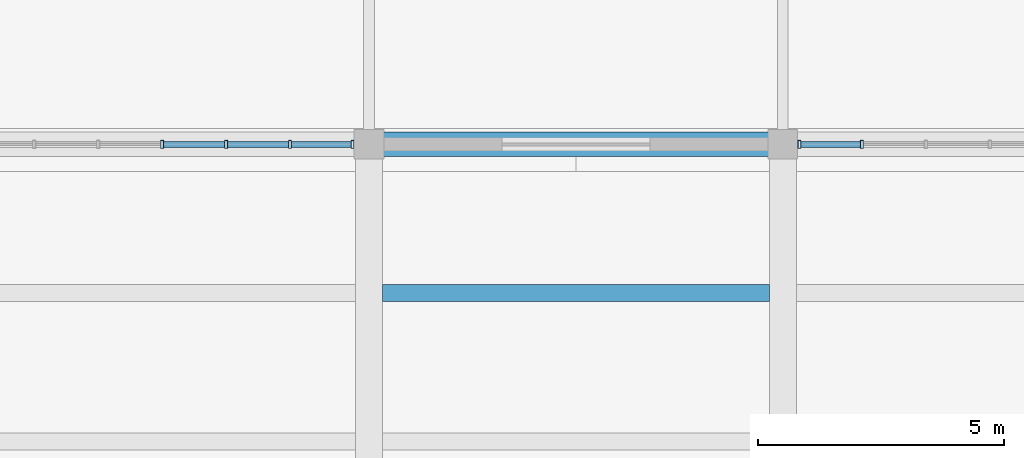
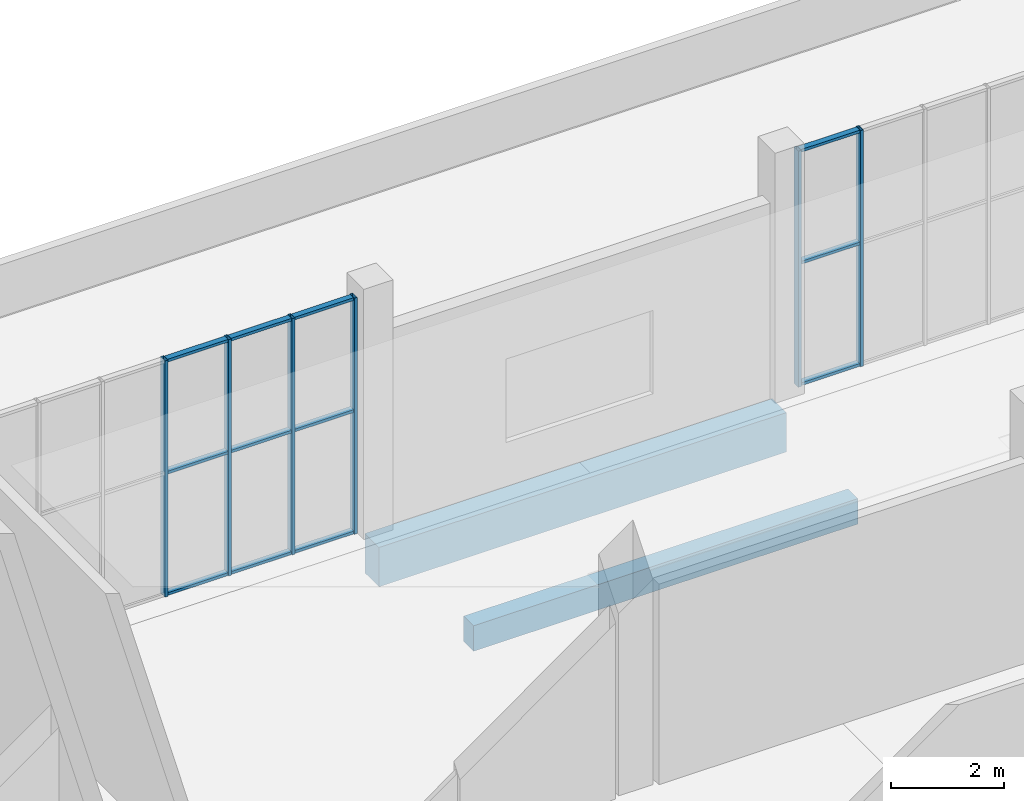
# One storey, part 87 of 132: 18 members, 2 beams, 2 elements without a shape of their own.
"""IFC4 building model written with IfcOpenShell, lengths in metres."""

from ifc_helpers import new_model, si_unit, direction, frame, origin, origin_2d, place, context, subcontext, project, spatial, rectangle, hollow_rectangle, extrude, material, material_profile, profile_set, type_object, element, aggregate, save


model = new_model("IFC4")

# Units and contexts
model_context = context("Model", 3, precision=1e-05, world=origin(), true_north=direction((0.0, 1.0)))
body_context = subcontext(model_context, "Body", "Model", "MODEL_VIEW")
ifc_project = project(units=[si_unit("LENGTHUNIT", "METRE"), si_unit("AREAUNIT", "SQUARE_METRE"), si_unit("VOLUMEUNIT", "CUBIC_METRE"), si_unit("PLANEANGLEUNIT", "RADIAN"), si_unit("MASSUNIT", "GRAM", prefix="KILO")], contexts=[model_context])

# Site, building, storey
site_placement = place(None, origin())
site = spatial("IfcSite", under=ifc_project, at=site_placement, CompositionType="ELEMENT")
building_placement = place(site_placement, origin())
building = spatial("IfcBuilding", under=site, at=building_placement, Name="Khurvash Pelagic Aquarium", CompositionType="ELEMENT")
storey_placement = place(building_placement, frame((0.0, 0.0, 5.39990234375)))
storey = spatial("IfcBuildingStorey", under=building, at=storey_placement, Name="L01", CompositionType="ELEMENT", Elevation=5.39990234375)

# Curtain wall, members
ifc_material_1 = material(Name="Anodised aluminium and low-E laminated glass", Category="aluminium")
curtain_wall_type = type_object("IfcCurtainWallType", Name="CW-05", PredefinedType="USERDEFINED", material=ifc_material_1)
curtain_wall_1_placement = place(storey_placement, origin())
curtain_wall_1 = element("IfcCurtainWall", 1, at=curtain_wall_1_placement, inside=storey, type_object=curtain_wall_type, Name="L01 Facade Unitised Curtain Wall CW-05 0116", ObjectType="UNITISED CURTAIN WALL", PredefinedType="USERDEFINED")
ifc_material_2 = material(Name="Extruded aluminium AW-6063-T6", Category="aluminium")
ifc_material_profile_1 = material_profile(ifc_material_2, hollow_rectangle(XDim=0.06005859375, YDim=0.159912109375, WallThickness=0.00390625, at=origin_2d()), Name="CWM60X160X4")
ifc_profile_set_1 = profile_set([ifc_material_profile_1], Name="Extruded aluminium AW-6063-T6")
member_type_1 = type_object("IfcMemberType", Name="CM-02", PredefinedType="MULLION", material=ifc_profile_set_1)
member_1_placement = place(storey_placement, frame((94.00341796875, 102.14990234375, 0.0), z_axis=(0.0, 0.0, 1.0), x_axis=(-1.0, 0.0, 0.0)))
member_1 = element("IfcMember", 2, at=member_1_placement, type_object=member_type_1, Name="CW-05 mullion 6", PredefinedType="MULLION", context=body_context, shape_type="SweptSolid", body=[
    extrude(hollow_rectangle(XDim=0.06005859375, YDim=0.159912109375, WallThickness=0.00390625, at=origin_2d()), origin(), (0.0, 0.0, 1.0), 5.10009765625),
])
member_2_placement = place(storey_placement, frame((92.735107421875, 102.14990234375, 0.0), z_axis=(0.0, 0.0, 1.0), x_axis=(-1.0, 0.0, 0.0)))
member_2 = element("IfcMember", 3, at=member_2_placement, type_object=member_type_1, Name="CW-05 mullion 7", PredefinedType="MULLION", context=body_context, shape_type="SweptSolid", body=[
    extrude(hollow_rectangle(XDim=0.06005859375, YDim=0.159912109375, WallThickness=0.00390625, at=origin_2d()), origin(), (0.0, 0.0, 1.0), 5.10009765625),
])

curtain_wall_2_placement = place(storey_placement, origin())
curtain_wall_2 = element("IfcCurtainWall", 4, at=curtain_wall_2_placement, inside=storey, type_object=curtain_wall_type, Name="L01 Facade Unitised Curtain Wall CW-05 0117", ObjectType="UNITISED CURTAIN WALL", PredefinedType="USERDEFINED")
member_3_placement = place(storey_placement, frame((83.6650390625, 102.14990234375, 0.0), z_axis=(0.0, 0.0, 1.0), x_axis=(-1.0, 0.0, 0.0)))
member_3 = element("IfcMember", 5, at=member_3_placement, type_object=member_type_1, Name="CW-05 mullion 1", PredefinedType="MULLION", context=body_context, shape_type="SweptSolid", body=[
    extrude(hollow_rectangle(XDim=0.06005859375, YDim=0.159912109375, WallThickness=0.00390625, at=origin_2d()), origin(), (0.0, 0.0, 1.0), 5.10009765625),
])
member_4_placement = place(storey_placement, frame((82.396728515625, 102.14990234375, 0.0), z_axis=(0.0, 0.0, 1.0), x_axis=(-1.0, 0.0, 0.0)))
member_4 = element("IfcMember", 6, at=member_4_placement, type_object=member_type_1, Name="CW-05 mullion 2", PredefinedType="MULLION", context=body_context, shape_type="SweptSolid", body=[
    extrude(hollow_rectangle(XDim=0.06005859375, YDim=0.159912109375, WallThickness=0.00390625, at=origin_2d()), origin(), (0.0, 0.0, 1.0), 5.10009765625),
])
member_5_placement = place(storey_placement, frame((81.098388671875, 102.14990234375, 0.0), z_axis=(0.0, 0.0, 1.0), x_axis=(-1.0, 0.0, 0.0)))
member_5 = element("IfcMember", 7, at=member_5_placement, type_object=member_type_1, Name="CW-05 mullion 3", PredefinedType="MULLION", context=body_context, shape_type="SweptSolid", body=[
    extrude(hollow_rectangle(XDim=0.06005859375, YDim=0.159912109375, WallThickness=0.00390625, at=origin_2d()), origin(), (0.0, 0.0, 1.0), 5.10009765625),
])
member_6_placement = place(storey_placement, frame((79.800048828125, 102.14990234375, 0.0), z_axis=(0.0, 0.0, 1.0), x_axis=(-1.0, 0.0, 0.0)))
member_6 = element("IfcMember", 8, at=member_6_placement, type_object=member_type_1, Name="CW-05 mullion 4", PredefinedType="MULLION", context=body_context, shape_type="SweptSolid", body=[
    extrude(hollow_rectangle(XDim=0.06005859375, YDim=0.159912109375, WallThickness=0.00390625, at=origin_2d()), origin(), (0.0, 0.0, 1.0), 5.10009765625),
])

# Member
ifc_material_profile_2 = material_profile(ifc_material_2, hollow_rectangle(XDim=0.1201171875, YDim=0.06005859375, WallThickness=0.00390625, at=origin_2d()), Name="CWT120X60X4")
ifc_profile_set_2 = profile_set([ifc_material_profile_2], Name="Extruded aluminium AW-6063-T6")
member_type_2 = type_object("IfcMemberType", Name="CT-02", PredefinedType="USERDEFINED", material=ifc_profile_set_2)
member_7_placement = place(storey_placement, frame((93.973388671875, 102.14990234375, 0.030029296875), z_axis=(-1.0, 0.0, 0.0), x_axis=(0.0, -1.0, 0.0)))
member_7 = element("IfcMember", 9, at=member_7_placement, type_object=member_type_2, Name="CW-05 transom 6.1", ObjectType="TRANSOM", PredefinedType="USERDEFINED", context=body_context, shape_type="SweptSolid", body=[
    extrude(hollow_rectangle(XDim=0.1201171875, YDim=0.06005859375, WallThickness=0.00390625, at=origin_2d()), origin(), (0.0, 0.0, 1.0), 1.20849609375),
])

member_8_placement = place(storey_placement, frame((93.973388671875, 102.14990234375, 2.652099609375), z_axis=(-1.0, 0.0, 0.0), x_axis=(0.0, -1.0, 0.0)))
member_8 = element("IfcMember", 10, at=member_8_placement, type_object=member_type_2, Name="CW-05 transom 6.2", ObjectType="TRANSOM", PredefinedType="USERDEFINED", context=body_context, shape_type="SweptSolid", body=[
    extrude(hollow_rectangle(XDim=0.1201171875, YDim=0.06005859375, WallThickness=0.00390625, at=origin_2d()), origin(), (0.0, 0.0, 1.0), 1.20849609375),
])

member_9_placement = place(storey_placement, frame((93.973388671875, 102.14990234375, 5.070068359375), z_axis=(-1.0, 0.0, 0.0), x_axis=(0.0, -1.0, 0.0)))
member_9 = element("IfcMember", 11, at=member_9_placement, type_object=member_type_2, Name="CW-05 transom 6.3", ObjectType="TRANSOM", PredefinedType="USERDEFINED", context=body_context, shape_type="SweptSolid", body=[
    extrude(hollow_rectangle(XDim=0.1201171875, YDim=0.06005859375, WallThickness=0.00390625, at=origin_2d()), origin(), (0.0, 0.0, 1.0), 1.20849609375),
])

aggregate(curtain_wall_1, [member_1, member_2, member_7, member_8, member_9])

member_10_placement = place(storey_placement, frame((83.635009765625, 102.14990234375, 0.030029296875), z_axis=(-1.0, 0.0, 0.0), x_axis=(0.0, -1.0, 0.0)))
member_10 = element("IfcMember", 12, at=member_10_placement, type_object=member_type_2, Name="CW-05 transom 1.1", ObjectType="TRANSOM", PredefinedType="USERDEFINED", context=body_context, shape_type="SweptSolid", body=[
    extrude(hollow_rectangle(XDim=0.1201171875, YDim=0.06005859375, WallThickness=0.00390625, at=origin_2d()), origin(), (0.0, 0.0, 1.0), 1.208251953125),
])

member_11_placement = place(storey_placement, frame((83.635009765625, 102.14990234375, 2.652099609375), z_axis=(-1.0, 0.0, 0.0), x_axis=(0.0, -1.0, 0.0)))
member_11 = element("IfcMember", 13, at=member_11_placement, type_object=member_type_2, Name="CW-05 transom 1.2", ObjectType="TRANSOM", PredefinedType="USERDEFINED", context=body_context, shape_type="SweptSolid", body=[
    extrude(hollow_rectangle(XDim=0.1201171875, YDim=0.06005859375, WallThickness=0.00390625, at=origin_2d()), origin(), (0.0, 0.0, 1.0), 1.208251953125),
])

member_12_placement = place(storey_placement, frame((83.635009765625, 102.14990234375, 5.070068359375), z_axis=(-1.0, 0.0, 0.0), x_axis=(0.0, -1.0, 0.0)))
member_12 = element("IfcMember", 14, at=member_12_placement, type_object=member_type_2, Name="CW-05 transom 1.3", ObjectType="TRANSOM", PredefinedType="USERDEFINED", context=body_context, shape_type="SweptSolid", body=[
    extrude(hollow_rectangle(XDim=0.1201171875, YDim=0.06005859375, WallThickness=0.00390625, at=origin_2d()), origin(), (0.0, 0.0, 1.0), 1.208251953125),
])

member_13_placement = place(storey_placement, frame((82.36669921875, 102.14990234375, 0.030029296875), z_axis=(-1.0, 0.0, 0.0), x_axis=(0.0, -1.0, 0.0)))
member_13 = element("IfcMember", 15, at=member_13_placement, type_object=member_type_2, Name="CW-05 transom 2.1", ObjectType="TRANSOM", PredefinedType="USERDEFINED", context=body_context, shape_type="SweptSolid", body=[
    extrude(hollow_rectangle(XDim=0.1201171875, YDim=0.06005859375, WallThickness=0.00390625, at=origin_2d()), origin(), (0.0, 0.0, 1.0), 1.23828125),
])

member_14_placement = place(storey_placement, frame((82.36669921875, 102.14990234375, 2.652099609375), z_axis=(-1.0, 0.0, 0.0), x_axis=(0.0, -1.0, 0.0)))
member_14 = element("IfcMember", 16, at=member_14_placement, type_object=member_type_2, Name="CW-05 transom 2.2", ObjectType="TRANSOM", PredefinedType="USERDEFINED", context=body_context, shape_type="SweptSolid", body=[
    extrude(hollow_rectangle(XDim=0.1201171875, YDim=0.06005859375, WallThickness=0.00390625, at=origin_2d()), origin(), (0.0, 0.0, 1.0), 1.23828125),
])

member_15_placement = place(storey_placement, frame((82.36669921875, 102.14990234375, 5.070068359375), z_axis=(-1.0, 0.0, 0.0), x_axis=(0.0, -1.0, 0.0)))
member_15 = element("IfcMember", 17, at=member_15_placement, type_object=member_type_2, Name="CW-05 transom 2.3", ObjectType="TRANSOM", PredefinedType="USERDEFINED", context=body_context, shape_type="SweptSolid", body=[
    extrude(hollow_rectangle(XDim=0.1201171875, YDim=0.06005859375, WallThickness=0.00390625, at=origin_2d()), origin(), (0.0, 0.0, 1.0), 1.23828125),
])

member_16_placement = place(storey_placement, frame((81.068359375, 102.14990234375, 0.030029296875), z_axis=(-1.0, 0.0, 0.0), x_axis=(0.0, -1.0, 0.0)))
member_16 = element("IfcMember", 18, at=member_16_placement, type_object=member_type_2, Name="CW-05 transom 3.1", ObjectType="TRANSOM", PredefinedType="USERDEFINED", context=body_context, shape_type="SweptSolid", body=[
    extrude(hollow_rectangle(XDim=0.1201171875, YDim=0.06005859375, WallThickness=0.00390625, at=origin_2d()), origin(), (0.0, 0.0, 1.0), 1.23828125),
])

member_17_placement = place(storey_placement, frame((81.068359375, 102.14990234375, 2.652099609375), z_axis=(-1.0, 0.0, 0.0), x_axis=(0.0, -1.0, 0.0)))
member_17 = element("IfcMember", 19, at=member_17_placement, type_object=member_type_2, Name="CW-05 transom 3.2", ObjectType="TRANSOM", PredefinedType="USERDEFINED", context=body_context, shape_type="SweptSolid", body=[
    extrude(hollow_rectangle(XDim=0.1201171875, YDim=0.06005859375, WallThickness=0.00390625, at=origin_2d()), origin(), (0.0, 0.0, 1.0), 1.23828125),
])

member_18_placement = place(storey_placement, frame((81.068359375, 102.14990234375, 5.070068359375), z_axis=(-1.0, 0.0, 0.0), x_axis=(0.0, -1.0, 0.0)))
member_18 = element("IfcMember", 20, at=member_18_placement, type_object=member_type_2, Name="CW-05 transom 3.3", ObjectType="TRANSOM", PredefinedType="USERDEFINED", context=body_context, shape_type="SweptSolid", body=[
    extrude(hollow_rectangle(XDim=0.1201171875, YDim=0.06005859375, WallThickness=0.00390625, at=origin_2d()), origin(), (0.0, 0.0, 1.0), 1.23828125),
])

aggregate(curtain_wall_2, [member_3, member_4, member_5, member_6, member_10, member_11, member_12, member_13, member_14, member_15, member_16, member_17, member_18])

# Beams
ifc_material_3 = material(Name="Concrete C35/45", Category="concrete")
ifc_material_profile_3 = material_profile(ifc_material_3, rectangle(XDim=0.35009765625, YDim=0.550048828125, at=origin_2d()), Name="RC350X550")
ifc_profile_set_3 = profile_set([ifc_material_profile_3], Name="Concrete C35/45")
beam_type_1 = type_object("IfcBeamType", Name="JS-01", PredefinedType="JOIST", material=ifc_profile_set_3)
beam_1_placement = place(storey_placement, frame((84.27490234375, 99.133056640625, -0.5849609375), z_axis=(1.0, 0.0, 0.0), x_axis=(0.0, 1.0, 0.0)))
element("IfcBeam", 21, at=beam_1_placement, inside=storey, type_object=beam_type_1, Name="L01 Floor Joist JS-01 00531", PredefinedType="JOIST", context=body_context, shape_type="SweptSolid", body=[
    extrude(rectangle(XDim=0.35009765625, YDim=0.550048828125, at=origin_2d()), origin(), (0.0, 0.0, 1.0), 7.85009765625),
])
ifc_material_4 = material(Name="Concrete C40/50", Category="concrete")
ifc_material_profile_4 = material_profile(ifc_material_4, rectangle(XDim=0.5, YDim=0.85009765625, at=origin_2d()), Name="RC500X850")
ifc_profile_set_4 = profile_set([ifc_material_profile_4], Name="Concrete C40/50")
beam_type_2 = type_object("IfcBeamType", Name="SEB-03", PredefinedType="SPANDREL", material=ifc_profile_set_4)
beam_2_placement = place(storey_placement, frame((84.0400390625, 102.14990234375, -0.744873046875), z_axis=(1.0, 0.0, 0.0), x_axis=(0.0, 1.0, 0.0)))
element("IfcBeam", 22, at=beam_2_placement, inside=storey, type_object=beam_type_2, Name="L01 Primary Girder SEB-03 00343", PredefinedType="SPANDREL", context=body_context, shape_type="SweptSolid", body=[
    extrude(rectangle(XDim=0.5, YDim=0.85009765625, at=origin_2d()), origin(), (0.0, 0.0, 1.0), 8.320068359375),
])

save(model, "model.ifc")
